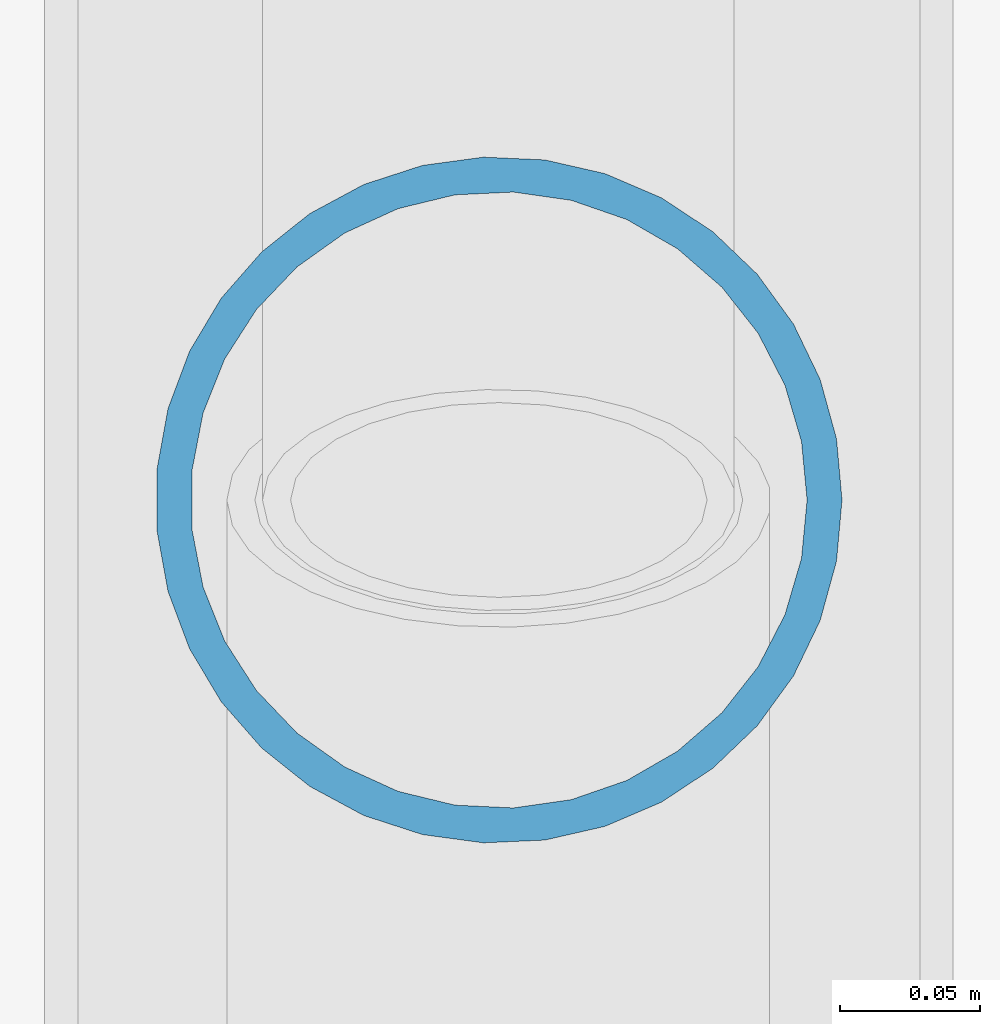
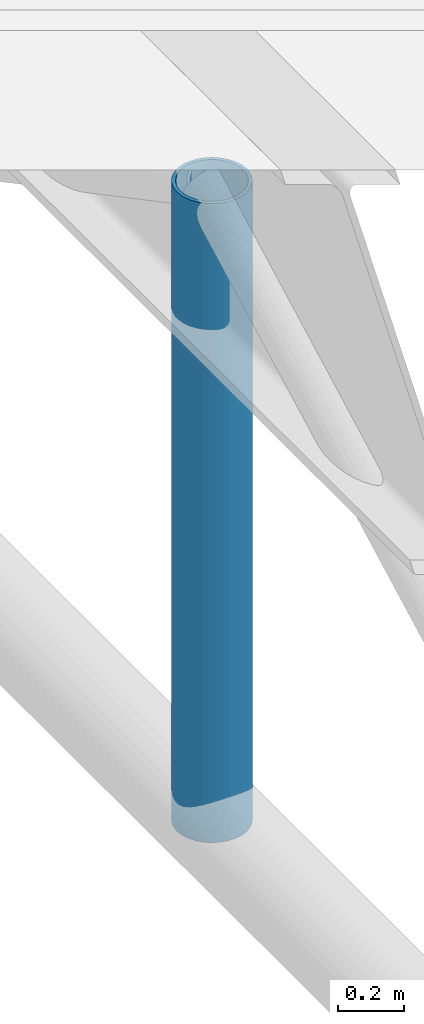
# One storey, part 78 of 196: 1 member.
"""IFC4 building model written with IfcOpenShell, lengths in metres."""

from ifc_helpers import new_model, si_unit, direction, frame, origin, origin_2d, place, context, subcontext, project, spatial, hollow_circle, extrude, material, material_profile, profile_set, type_object, element, save


model = new_model("IFC4")

# Units and contexts
model_context = context("Model", 3, precision=1e-05, world=origin(), true_north=direction((0.0, 1.0)))
body_context = subcontext(model_context, "Body", "Model", "MODEL_VIEW")
ifc_project = project(units=[si_unit("LENGTHUNIT", "METRE"), si_unit("AREAUNIT", "SQUARE_METRE"), si_unit("VOLUMEUNIT", "CUBIC_METRE"), si_unit("PLANEANGLEUNIT", "RADIAN"), si_unit("MASSUNIT", "GRAM", prefix="KILO")], contexts=[model_context])

# Site, building, storey
site_placement = place(None, origin())
site = spatial("IfcSite", under=ifc_project, at=site_placement, CompositionType="ELEMENT")
building_placement = place(site_placement, origin())
building = spatial("IfcBuilding", under=site, at=building_placement, Name="Barlavento Convention Centre", CompositionType="ELEMENT")
storey_placement = place(building_placement, frame((0.0, 0.0, 18.0)))
storey = spatial("IfcBuildingStorey", under=building, at=storey_placement, Name="L03", CompositionType="ELEMENT", Elevation=18.0)

# Member
ifc_material = material(Name="Steel S355", Category="steel")
ifc_material_profile = material_profile(ifc_material, hollow_circle(Radius=0.122314453125, WallThickness=0.012451171875, at=origin_2d()), Name="CHS 244.5x12.5")
ifc_profile_set = profile_set([ifc_material_profile], Name="Steel S355")
member_type = type_object("IfcMemberType", Name="STR-MEM-STRUT-CHS244", PredefinedType="STRUT", material=ifc_profile_set)
member_placement = place(storey_placement, frame((81.0, 94.5, -3.199951171875), z_axis=(0.0, 0.0, 1.0), x_axis=(1.0, 0.0, 0.0)))
element("IfcMember", 1, at=member_placement, inside=storey, type_object=member_type, Name="Exhibition space frame vertical strut", PredefinedType="STRUT", context=body_context, shape_type="SweptSolid", body=[
    extrude(hollow_circle(Radius=0.122314453125, WallThickness=0.012451171875, at=origin_2d()), origin(), (0.0, 0.0, 1.0), 2.35498046875),
])

save(model, "model.ifc")
